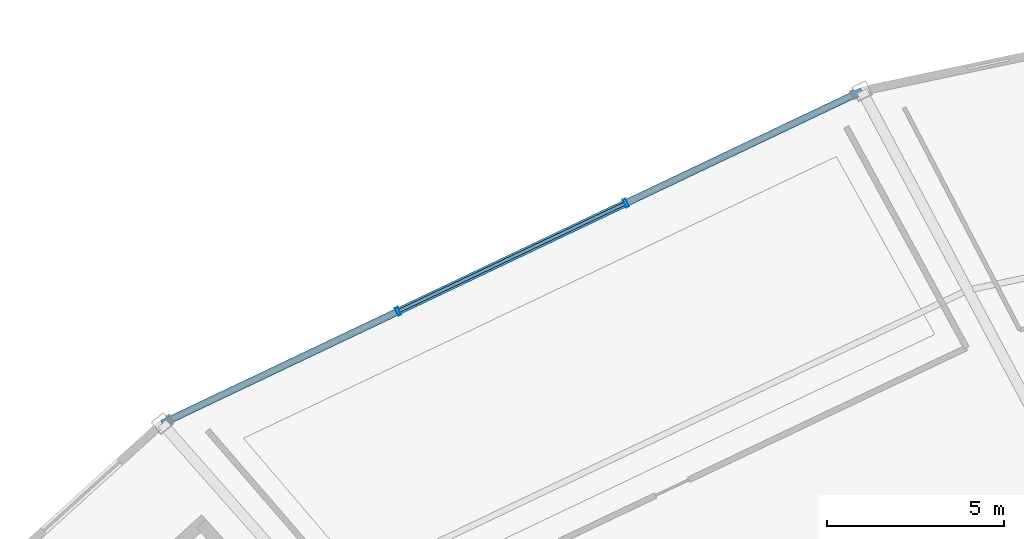
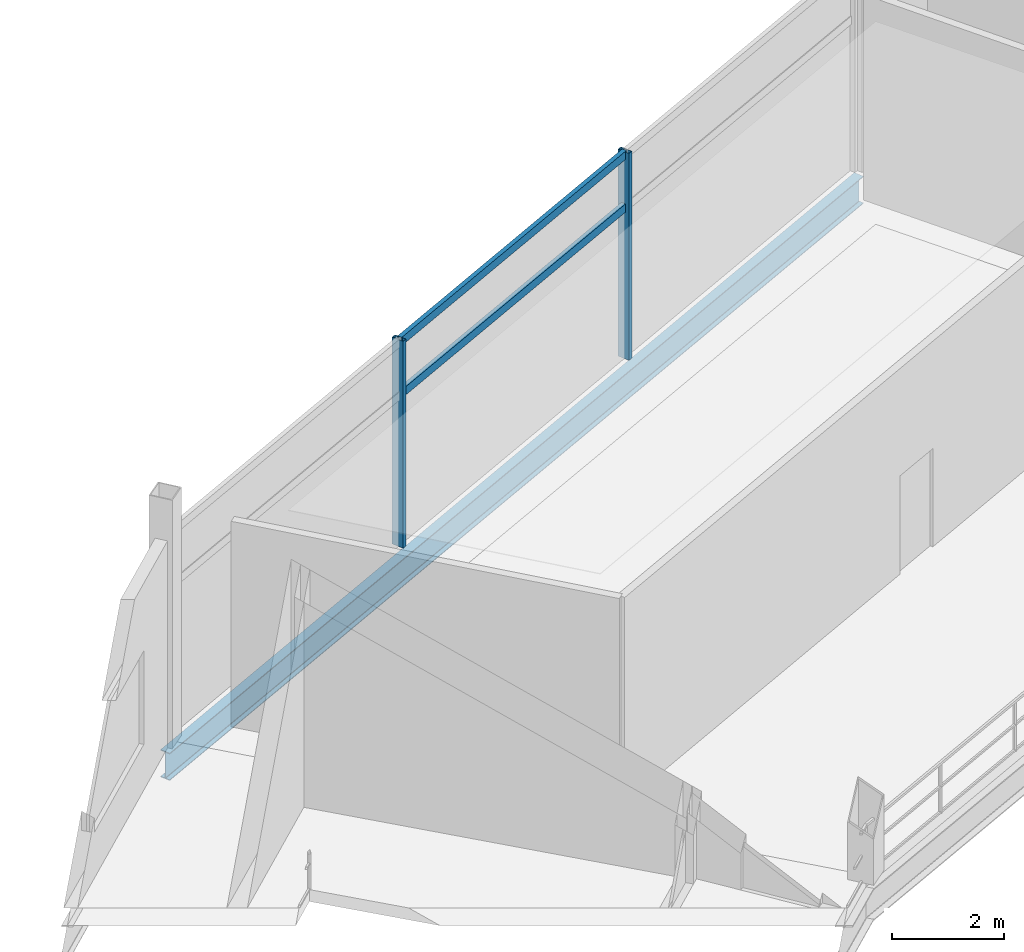
# One storey, part 53 of 103: 4 members, 1 beam, 1 element without a shape of its own.
"""IFC4 building model written with IfcOpenShell, lengths in metres."""

import ifcopenshell
import ifcopenshell.guid

model = None  # the IFC model being written
_history = None  # IfcOwnerHistory: only IFC2X3 demands one
_inside = {}  # id of a spatial element -> (the spatial element, [elements in it])
_under = {}  # id of a project, library or spatial element -> (it, [spatial elements below it])
_declared = {}  # id of a project -> (the project, [libraries it declares])
_typed = {}  # id of a type object -> (the type object, [elements of that type])
_made_of = {}  # id of a material, layer set ... -> (it, [elements and type objects made of it])


def new_model(schema):
    """Start an empty IFC model of exactly this schema.

    Asked for "IFC4X3", IfcOpenShell would pick the latest addendum, in which some entities
    have other attributes; the version numbers below select the first issue.
    IFC2X3 requires an IfcOwnerHistory on every rooted entity: one is made here for all.
    """
    global model, _history
    if schema == "IFC4X3":
        model = ifcopenshell.file(schema_version=(4, 3, 0, 0))
    else:
        model = ifcopenshell.file(schema=schema)
    _inside.clear()
    _under.clear()
    _declared.clear()
    _typed.clear()
    _made_of.clear()
    _history = None
    if model.schema == "IFC2X3":
        org = make("IfcOrganization", Name="unknown")
        user = make(
            "IfcPersonAndOrganization",
            ThePerson=make("IfcPerson", FamilyName="unknown"),
            TheOrganization=org,
        )
        app = make(
            "IfcApplication",
            ApplicationDeveloper=org,
            Version="unknown",
            ApplicationFullName="unknown",
            ApplicationIdentifier="unknown",
        )
        _history = make(
            "IfcOwnerHistory",
            OwningUser=user,
            OwningApplication=app,
            ChangeAction="ADDED",
            CreationDate=0,
        )
    return model


def make(cls, **values):
    """One entity of the class cls with the attributes given. An attribute that is None is left unset."""
    return model.create_entity(
        cls, **{name: value for name, value in values.items() if value is not None}
    )


def rooted(cls, **values):
    """An entity with a GlobalId (a new one), such as an element, a storey or a relation."""
    return make(cls, GlobalId=ifcopenshell.guid.new(), OwnerHistory=_history, **values)


def si_unit(unit_type, name, prefix=None):
    """IfcSIUnit, for example si_unit("LENGTHUNIT", "METRE", prefix="MILLI")."""
    return make("IfcSIUnit", UnitType=unit_type, Prefix=prefix, Name=name)


def assignment(units):
    """IfcUnitAssignment: the units of a project."""
    return None if units is None else make("IfcUnitAssignment", Units=units)


def point(xyz):
    """IfcCartesianPoint."""
    return None if xyz is None else make("IfcCartesianPoint", Coordinates=xyz)


def direction(xyz):
    """IfcDirection."""
    return None if xyz is None else make("IfcDirection", DirectionRatios=xyz)


def frame(location, z_axis=None, x_axis=None):
    """IfcAxis2Placement3D, a coordinate frame: its origin and axes. An axis left out is left unset."""
    return make(
        "IfcAxis2Placement3D",
        Location=point(location),
        Axis=direction(z_axis),
        RefDirection=direction(x_axis),
    )


def frame_2d(location, x_axis=None):
    """IfcAxis2Placement2D, a coordinate frame in the plane: its origin and x axis."""
    return make(
        "IfcAxis2Placement2D", Location=point(location), RefDirection=direction(x_axis)
    )


def origin():
    """The frame at (0, 0, 0) with its axes left unset."""
    return frame((0.0, 0.0, 0.0))


def origin_2d():
    """The frame at (0, 0) in the plane with its x axis left unset."""
    return frame_2d((0.0, 0.0))


def place(relative_to, where):
    """IfcLocalPlacement: puts the frame where relative to a parent placement (None: the world)."""
    return make(
        "IfcLocalPlacement", PlacementRelTo=relative_to, RelativePlacement=where
    )


def context(
    kind, dimensions, precision=None, world=None, true_north=None, identifier=None
):
    """IfcGeometricRepresentationContext, for example the 3D "Model" context."""
    return make(
        "IfcGeometricRepresentationContext",
        ContextIdentifier=identifier,
        ContextType=kind,
        CoordinateSpaceDimension=dimensions,
        Precision=precision,
        WorldCoordinateSystem=world,
        TrueNorth=true_north,
    )


def subcontext(parent, identifier, kind, view, scale=None):
    """IfcGeometricRepresentationSubContext, for example "Body" below "Model"."""
    return make(
        "IfcGeometricRepresentationSubContext",
        ContextIdentifier=identifier,
        ContextType=kind,
        ParentContext=parent,
        TargetScale=scale,
        TargetView=view,
    )


def project(units=None, contexts=None):
    """IfcProject with its units and contexts."""
    return rooted(
        "IfcProject",
        Name="project",
        RepresentationContexts=contexts,
        UnitsInContext=assignment(units),
    )


def spatial(cls, under=None, at=None, **own):
    """A site, building, storey or space (cls), placed at a placement, below another one or the project."""
    s = rooted(cls, ObjectPlacement=at, **own)
    if under is not None:
        _under.setdefault(under.id(), (under, []))[1].append(s)
    return s


def profile(cls, at=None, kind="AREA", **sizes):
    """A parametric profile (cls). Its sizes go by their IFC names, for example OverallWidth=200.0."""
    return make(cls, ProfileType=kind, Position=at, **sizes)


def hollow_rectangle(**sizes):
    """IfcRectangleHollowProfileDef."""
    return profile("IfcRectangleHollowProfileDef", **sizes)


def i_section(**sizes):
    """IfcIShapeProfileDef."""
    return profile("IfcIShapeProfileDef", **sizes)


def extrude(swept, where, along, depth):
    """IfcExtrudedAreaSolid: the profile swept, set in the frame where, extruded along a direction by depth."""
    return make(
        "IfcExtrudedAreaSolid",
        SweptArea=swept,
        Position=where,
        ExtrudedDirection=direction(along),
        Depth=depth,
    )


def shape(context_of_items, identifier, shape_type, items):
    """IfcShapeRepresentation: the items that make up one representation, for example the "Body"."""
    return make(
        "IfcShapeRepresentation",
        ContextOfItems=context_of_items,
        RepresentationIdentifier=identifier,
        RepresentationType=shape_type,
        Items=items,
    )


def material(Name=None, Category=None):
    """IfcMaterial."""
    return make("IfcMaterial", Name=Name, Category=Category)


def layer(
    of_material, thickness, ventilated=None, Name=None, Category=None, Priority=None
):
    """IfcMaterialLayer: one layer of a wall or slab, of a material (None: an air gap)."""
    return make(
        "IfcMaterialLayer",
        Material=of_material,
        LayerThickness=thickness,
        IsVentilated=ventilated,
        Name=Name,
        Category=Category,
        Priority=Priority,
    )


def layer_set(layers, Name=None):
    """IfcMaterialLayerSet."""
    return make("IfcMaterialLayerSet", MaterialLayers=layers, LayerSetName=Name)


def material_profile(
    of_material, cross_section, Name=None, Category=None, Priority=None
):
    """IfcMaterialProfile: a cross section and its material."""
    return make(
        "IfcMaterialProfile",
        Name=Name,
        Material=of_material,
        Profile=cross_section,
        Priority=Priority,
        Category=Category,
    )


def profile_set(profiles, Name=None, composite=None):
    """IfcMaterialProfileSet."""
    return make(
        "IfcMaterialProfileSet",
        Name=Name,
        MaterialProfiles=profiles,
        CompositeProfile=composite,
    )


def made_of(thing, what):
    """Note that an element or type object is made of a material, layer set ...; save() writes the relation."""
    if what is not None:
        _made_of.setdefault(what.id(), (what, []))[1].append(thing)
    return thing


def type_object(cls, material=None, **own):
    """A type object (cls), such as IfcWallType, which elements share."""
    return made_of(rooted(cls, **own), material)


def element(
    cls,
    number,
    at=None,
    inside=None,
    cuts=None,
    type_object=None,
    material=None,
    context=None,
    identifier="Body",
    shape_type=None,
    held_by="IfcProductDefinitionShape",
    body=None,
    shapes=None,
    **own,
):
    """One element of the class cls, such as IfcWall. Its Tag is "e" and its number.

    at: its placement. inside: the storey or other place that contains it. cuts: it is an
    opening in that element (IfcRelVoidsElement). A single representation is given by context,
    identifier, shape_type and body (its items); several are given by shapes. held_by: the class
    of the entity that holds the representations. save() writes the other relations.
    """
    e = rooted(cls, Tag="e%d" % number, ObjectPlacement=at, **own)
    if body is not None:
        shapes = [shape(context, identifier, shape_type, body)]
    if shapes is not None:
        e.Representation = make(held_by, Representations=shapes)
    if inside is not None:
        _inside.setdefault(inside.id(), (inside, []))[1].append(e)
    if cuts is not None:
        rooted(
            "IfcRelVoidsElement", RelatingBuildingElement=cuts, RelatedOpeningElement=e
        )
    if type_object is not None:
        _typed.setdefault(type_object.id(), (type_object, []))[1].append(e)
    return made_of(e, material)


def aggregate(whole, parts):
    """IfcRelAggregates: a whole, such as a stair, and the parts it consists of."""
    return rooted("IfcRelAggregates", RelatingObject=whole, RelatedObjects=parts)


def save(model, path):
    """Write the relations noted so far, then the file.

    IfcRelAggregates (storeys below a building ...), IfcRelContainedInSpatialStructure (elements
    in a storey), IfcRelDefinesByType, IfcRelAssociatesMaterial and IfcRelDeclares: one each for
    every whole, place, type object, material and project.
    """
    for whole, parts in _under.values():
        aggregate(whole, parts)
    for where, things in _inside.values():
        rooted(
            "IfcRelContainedInSpatialStructure",
            RelatedElements=things,
            RelatingStructure=where,
        )
    for kind, things in _typed.values():
        rooted("IfcRelDefinesByType", RelatedObjects=things, RelatingType=kind)
    for what, things in _made_of.values():
        rooted("IfcRelAssociatesMaterial", RelatedObjects=things, RelatingMaterial=what)
    for by, libraries in _declared.values():
        rooted("IfcRelDeclares", RelatingContext=by, RelatedDefinitions=libraries)
    model.write(path)


model = new_model("IFC4")

# Units and contexts
model_context = context("Model", 3, precision=1e-05, world=origin(), true_north=direction((0.0, 1.0)))
body_context = subcontext(model_context, "Body", "Model", "MODEL_VIEW")
ifc_project = project(units=[si_unit("LENGTHUNIT", "METRE"), si_unit("AREAUNIT", "SQUARE_METRE"), si_unit("VOLUMEUNIT", "CUBIC_METRE"), si_unit("PLANEANGLEUNIT", "RADIAN"), si_unit("MASSUNIT", "GRAM", prefix="KILO")], contexts=[model_context])

# Site, building, storey
site_placement = place(None, origin())
site = spatial("IfcSite", under=ifc_project, at=site_placement, CompositionType="ELEMENT")
building_placement = place(site_placement, origin())
building = spatial("IfcBuilding", under=site, at=building_placement, Name="Kazemori Nagisa Stadium", CompositionType="ELEMENT")
storey_placement = place(building_placement, frame((0.0, 0.0, 25.840087890625)))
storey = spatial("IfcBuildingStorey", under=building, at=storey_placement, Name="L05", CompositionType="ELEMENT", Elevation=25.840087890625)

# Beam
ifc_material_1 = material(Name="Steel SN490B", Category="steel")
ifc_material_profile_1 = material_profile(ifc_material_1, i_section(OverallWidth=0.199951171875, OverallDepth=0.60009765625, WebThickness=0.010986328125, FlangeThickness=0.01708984375, FilletRadius=0.012939453125, at=origin_2d()), Name="H-600x200x11x17")
ifc_profile_set_1 = profile_set([ifc_material_profile_1], Name="Steel SN490B")
beam_type = type_object("IfcBeamType", Name="Beam_BS-H600", PredefinedType="SPANDREL", material=ifc_profile_set_1)
beam_placement = place(storey_placement, frame((80.1953125, 182.46435546875, -0.56005859375), z_axis=(-0.903215644095, -0.429187022475, 0.0), x_axis=(0.429187022475, -0.903215644095, 0.0)))
element("IfcBeam", 1, at=beam_placement, inside=storey, type_object=beam_type, Name="Ring girder BS-H600 L05 R3-10", PredefinedType="SPANDREL", context=body_context, shape_type="SweptSolid", body=[
    extrude(i_section(OverallWidth=0.199951171875, OverallDepth=0.60009765625, WebThickness=0.010986328125, FlangeThickness=0.01708984375, FilletRadius=0.012939453125, at=origin_2d()), origin(), (0.0, 0.0, 1.0), 21.9140625),
])

# Curtain wall, members
ifc_material_2 = material(Name="Anodised aluminium 6063-T5", Category="aluminium")
ifc_layer = layer(ifc_material_2, 0.239990234375, Name="Anodised aluminium 6063-T5", Category="aluminium")
ifc_layer_set = layer_set([ifc_layer], Name="Anodised aluminium 6063-T5")
curtain_wall_type = type_object("IfcCurtainWallType", Name="CW_L05R3_107", PredefinedType="USERDEFINED", material=ifc_layer_set)
curtain_wall_placement = place(storey_placement, origin())
curtain_wall = element("IfcCurtainWall", 2, at=curtain_wall_placement, inside=storey, type_object=curtain_wall_type, Name="Unitised curtain wall CW-L05R3-107 L05", ObjectType="UNITISED CURTAIN WALL", PredefinedType="USERDEFINED")
ifc_material_3 = material(Name="Aluminium 6063-T5 anodised", Category="aluminium")
ifc_material_profile_2 = material_profile(ifc_material_3, hollow_rectangle(XDim=0.090087890625, YDim=0.239990234375, WallThickness=0.0048828125, at=origin_2d()), Name="ALU-MULL-90x240x5")
ifc_profile_set_2 = profile_set([ifc_material_profile_2], Name="Aluminium 6063-T5 anodised")
member_type_1 = type_object("IfcMemberType", Name="Mullion_M03", PredefinedType="MULLION", material=ifc_profile_set_2)
member_1_placement = place(storey_placement, frame((73.520751953125, 179.292724609375, 0.0), z_axis=(0.0, 0.0, 1.0), x_axis=(-0.903215892654, -0.429186499388, 0.0)))
member_1 = element("IfcMember", 3, at=member_1_placement, type_object=member_type_1, Name="Curtain wall mullion CW-L05R3-107-M2", PredefinedType="MULLION", context=body_context, shape_type="SweptSolid", body=[
    extrude(hollow_rectangle(XDim=0.090087890625, YDim=0.239990234375, WallThickness=0.0048828125, at=origin_2d()), origin(), (0.0, 0.0, 1.0), 4.530029296875),
])
member_2_placement = place(storey_placement, frame((67.07666015625, 176.23046875, 0.0), z_axis=(0.0, 0.0, 1.0), x_axis=(-0.903215892654, -0.429186499388, 0.0)))
member_2 = element("IfcMember", 4, at=member_2_placement, type_object=member_type_1, Name="Curtain wall mullion CW-L05R3-107-M3", PredefinedType="MULLION", context=body_context, shape_type="SweptSolid", body=[
    extrude(hollow_rectangle(XDim=0.090087890625, YDim=0.239990234375, WallThickness=0.0048828125, at=origin_2d()), origin(), (0.0, 0.0, 1.0), 4.530029296875),
])
ifc_material_profile_3 = material_profile(ifc_material_3, hollow_rectangle(XDim=0.090087890625, YDim=0.179931640625, WallThickness=0.0048828125, at=origin_2d()), Name="ALU-TRAN-90x180x5")
ifc_profile_set_3 = profile_set([ifc_material_profile_3], Name="Aluminium 6063-T5 anodised")
member_type_2 = type_object("IfcMemberType", Name="Transom_T03", PredefinedType="USERDEFINED", material=ifc_profile_set_3)
member_3_placement = place(storey_placement, frame((73.502685546875, 179.2841796875, 3.306884765625), z_axis=(-0.903201805793, -0.429216143699, 0.0), x_axis=(0.429216143699, -0.903201805793, 0.0)))
member_3 = element("IfcMember", 5, at=member_3_placement, type_object=member_type_2, Name="Curtain wall transom CW-L05R3-107-T2-mid", ObjectType="TRANSOM", PredefinedType="USERDEFINED", context=body_context, shape_type="SweptSolid", body=[
    extrude(hollow_rectangle(XDim=0.090087890625, YDim=0.179931640625, WallThickness=0.0048828125, at=origin_2d()), origin(), (0.0, 0.0, 1.0), 7.0947265625),
])
member_4_placement = place(storey_placement, frame((73.502685546875, 179.2841796875, 4.4599609375), z_axis=(-0.903201805793, -0.429216143699, 0.0), x_axis=(0.429216143699, -0.903201805793, 0.0)))
member_4 = element("IfcMember", 6, at=member_4_placement, type_object=member_type_2, Name="Curtain wall transom CW-L05R3-107-T2-head", ObjectType="TRANSOM", PredefinedType="USERDEFINED", context=body_context, shape_type="SweptSolid", body=[
    extrude(hollow_rectangle(XDim=0.090087890625, YDim=0.179931640625, WallThickness=0.0048828125, at=origin_2d()), origin(), (0.0, 0.0, 1.0), 7.0947265625),
])
aggregate(curtain_wall, [member_1, member_2, member_3, member_4])

save(model, "model.ifc")
